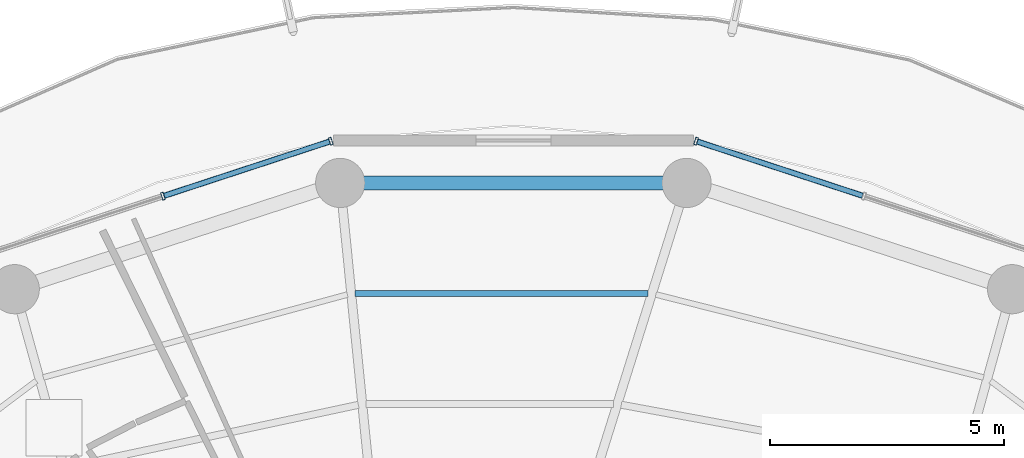
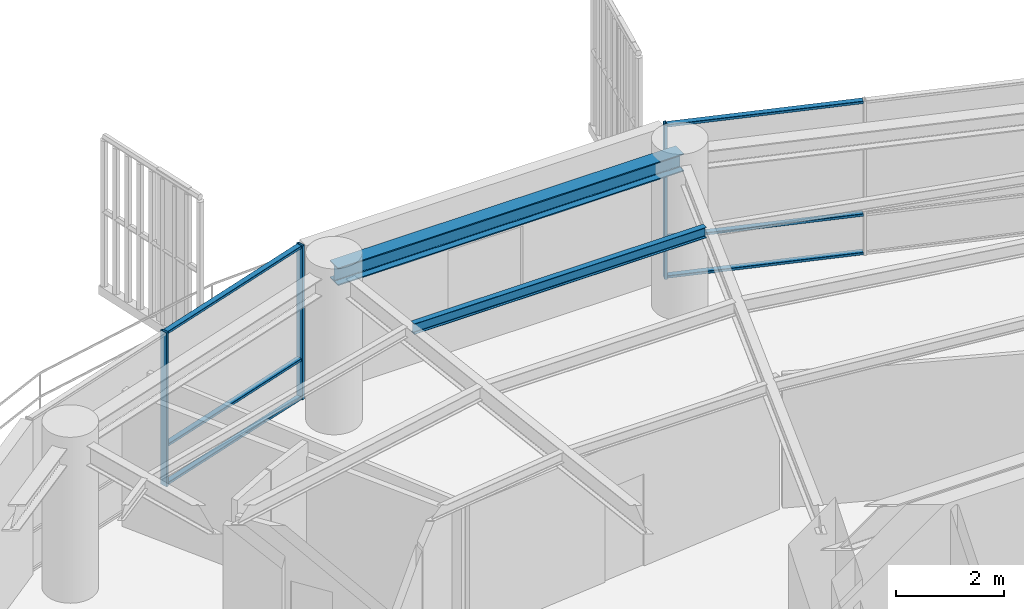
# One storey, part 20 of 31: 9 members, 2 beams, 2 elements without a shape of their own.
"""IFC4 building model written with IfcOpenShell, lengths in metres."""

from ifc_helpers import new_model, si_unit, direction, frame, origin, origin_2d, place, context, subcontext, project, spatial, hollow_rectangle, i_section, extrude, material, layer, layer_set, material_profile, profile_set, type_object, element, aggregate, save


model = new_model("IFC4")

# Units and contexts
model_context = context("Model", 3, precision=1e-05, world=origin(), true_north=direction((0.0, 1.0)))
body_context = subcontext(model_context, "Body", "Model", "MODEL_VIEW")
ifc_project = project(units=[si_unit("LENGTHUNIT", "METRE"), si_unit("AREAUNIT", "SQUARE_METRE"), si_unit("VOLUMEUNIT", "CUBIC_METRE"), si_unit("PLANEANGLEUNIT", "RADIAN"), si_unit("MASSUNIT", "GRAM", prefix="KILO")], contexts=[model_context])

# Site, building, storey
site_placement = place(None, origin())
site = spatial("IfcSite", under=ifc_project, at=site_placement, CompositionType="ELEMENT")
building_placement = place(site_placement, origin())
building = spatial("IfcBuilding", under=site, at=building_placement, Name="Kelanora Arch Commons", CompositionType="ELEMENT")
storey_placement = place(building_placement, frame((0.0, 0.0, 223.199951171875)))
storey = spatial("IfcBuildingStorey", under=building, at=storey_placement, Name="L57", CompositionType="ELEMENT", Elevation=223.199951171875)

# Beams
ifc_material_1 = material(Name="Steel S355", Category="steel")
ifc_material_profile_1 = material_profile(ifc_material_1, i_section(OverallWidth=0.1201171875, OverallDepth=0.239990234375, WebThickness=0.006103515625, FlangeThickness=0.009765625, FilletRadius=0.014892578125, at=origin_2d()), Name="IPE240")
ifc_profile_set_1 = profile_set([ifc_material_profile_1], Name="Steel S355")
beam_type_1 = type_object("IfcBeamType", Name="BM-JST-02", PredefinedType="JOIST", material=ifc_profile_set_1)
beam_1_placement = place(storey_placement, frame((76.87109375, 74.43212890625, 3.3701171875), z_axis=(-1.0, 0.0, 0.0), x_axis=(0.0, -1.0, 0.0)))
element("IfcBeam", 1, at=beam_1_placement, inside=storey, type_object=beam_type_1, Name="Secondary Chord Joist BJC-08 L57", PredefinedType="JOIST", context=body_context, shape_type="SweptSolid", body=[
    extrude(i_section(OverallWidth=0.1201171875, OverallDepth=0.239990234375, WebThickness=0.006103515625, FlangeThickness=0.009765625, FilletRadius=0.014892578125, at=origin_2d()), origin(), (0.0, 0.0, 1.0), 6.246337890625),
])
ifc_material_profile_2 = material_profile(ifc_material_1, i_section(OverallWidth=0.300048828125, OverallDepth=0.39990234375, WebThickness=0.013427734375, FlangeThickness=0.02392578125, FilletRadius=0.027099609375, at=origin_2d()), Name="HEB400")
ifc_profile_set_2 = profile_set([ifc_material_profile_2], Name="Steel S355")
beam_type_2 = type_object("IfcBeamType", Name="BM-SPN-Z4", PredefinedType="SPANDREL", material=ifc_profile_set_2)
beam_2_placement = place(storey_placement, frame((77.6953125, 76.7900390625, 3.2900390625), z_axis=(-1.0, 0.0, 0.0), x_axis=(0.0, -1.0, 0.0)))
element("IfcBeam", 2, at=beam_2_placement, inside=storey, type_object=beam_type_2, Name="Perimeter Spandrel Beam BS-08 L57", PredefinedType="SPANDREL", context=body_context, shape_type="SweptSolid", body=[
    extrude(i_section(OverallWidth=0.300048828125, OverallDepth=0.39990234375, WebThickness=0.013427734375, FlangeThickness=0.02392578125, FilletRadius=0.027099609375, at=origin_2d()), origin(), (0.0, 0.0, 1.0), 7.390625),
])

# Curtain wall, member
ifc_material_2 = material(Name="Terracotta ceramic-fritted low-E glass and aluminium", Category="masonry")
ifc_layer = layer(ifc_material_2, 0.175048828125)
ifc_layer_set = layer_set([ifc_layer], Name="Terracotta ceramic-fritted low-E glass and aluminium")
curtain_wall_type = type_object("IfcCurtainWallType", Name="CW-SYS-02", PredefinedType="NOTDEFINED", material=ifc_layer_set)
curtain_wall_1_placement = place(storey_placement, origin())
curtain_wall_1 = element("IfcCurtainWall", 3, at=curtain_wall_1_placement, inside=storey, type_object=curtain_wall_type, Name="Unitised Curtain Wall L57-B03", PredefinedType="NOTDEFINED")
ifc_material_3 = material(Name="Powder-coated aluminium terracotta", Category="masonry")
ifc_material_profile_3 = material_profile(ifc_material_3, hollow_rectangle(XDim=0.159912109375, YDim=0.06005859375, WallThickness=0.0048828125, InnerFilletRadius=0.0048828125, OuterFilletRadius=0.010009765625, at=origin_2d()), Name="CWM160x60")
ifc_profile_set_3 = profile_set([ifc_material_profile_3], Name="Powder-coated aluminium terracotta")
member_type_1 = type_object("IfcMemberType", Name="CWM-STD", PredefinedType="MULLION", material=ifc_profile_set_3)
member_1_placement = place(storey_placement, frame((77.897705078125, 77.68212890625, 0.0), z_axis=(0.0, 0.0, 1.0), x_axis=(-0.311582439059, -0.950219124029, 0.0)))
member_1 = element("IfcMember", 4, at=member_1_placement, type_object=member_type_1, Name="CW-02 mullion 3", PredefinedType="MULLION", context=body_context, shape_type="SweptSolid", body=[
    extrude(hollow_rectangle(XDim=0.159912109375, YDim=0.06005859375, WallThickness=0.0048828125, InnerFilletRadius=0.0048828125, OuterFilletRadius=0.010009765625, at=origin_2d()), origin(), (0.0, 0.0, 1.0), 3.47509765625),
])

# Curtain wall, members
curtain_wall_2_placement = place(storey_placement, origin())
curtain_wall_2 = element("IfcCurtainWall", 5, at=curtain_wall_2_placement, inside=storey, type_object=curtain_wall_type, Name="Unitised Curtain Wall L57-B05", PredefinedType="NOTDEFINED")
member_2_placement = place(storey_placement, frame((70.102294921875, 77.68212890625, 0.0), z_axis=(0.0, 0.0, 1.0), x_axis=(0.311582439059, -0.950219124029, 0.0)))
member_2 = element("IfcMember", 6, at=member_2_placement, type_object=member_type_1, Name="CW-02 mullion 1", PredefinedType="MULLION", context=body_context, shape_type="SweptSolid", body=[
    extrude(hollow_rectangle(XDim=0.159912109375, YDim=0.06005859375, WallThickness=0.0048828125, InnerFilletRadius=0.0048828125, OuterFilletRadius=0.010009765625, at=origin_2d()), origin(), (0.0, 0.0, 1.0), 3.47509765625),
])
member_3_placement = place(storey_placement, frame((66.5224609375, 76.50830078125, 0.0), z_axis=(0.0, 0.0, 1.0), x_axis=(0.311582439059, -0.950219124029, 0.0)))
member_3 = element("IfcMember", 7, at=member_3_placement, type_object=member_type_1, Name="CW-02 mullion 2", PredefinedType="MULLION", context=body_context, shape_type="SweptSolid", body=[
    extrude(hollow_rectangle(XDim=0.159912109375, YDim=0.06005859375, WallThickness=0.0048828125, InnerFilletRadius=0.0048828125, OuterFilletRadius=0.010009765625, at=origin_2d()), origin(), (0.0, 0.0, 1.0), 3.47509765625),
])

# Member
ifc_material_profile_4 = material_profile(ifc_material_3, hollow_rectangle(XDim=0.1201171875, YDim=0.06005859375, WallThickness=0.0048828125, InnerFilletRadius=0.0048828125, OuterFilletRadius=0.010009765625, at=origin_2d()), Name="CWT120x60")
ifc_profile_set_4 = profile_set([ifc_material_profile_4], Name="Powder-coated aluminium terracotta")
member_type_2 = type_object("IfcMemberType", Name="CWT-STD", PredefinedType="USERDEFINED", material=ifc_profile_set_4)
member_4_placement = place(storey_placement, frame((81.448974609375, 76.517578125, 0.030029296875), z_axis=(-0.950206527055, 0.311620852867, 0.0), x_axis=(-0.311620852867, -0.950206527055, 0.0)))
member_4 = element("IfcMember", 8, at=member_4_placement, type_object=member_type_2, Name="CW-02 transom 2.1", ObjectType="TRANSOM", PredefinedType="USERDEFINED", context=body_context, shape_type="SweptSolid", body=[
    extrude(hollow_rectangle(XDim=0.1201171875, YDim=0.06005859375, WallThickness=0.0048828125, InnerFilletRadius=0.0048828125, OuterFilletRadius=0.010009765625, at=origin_2d()), origin(), (0.0, 0.0, 1.0), 3.707275390625),
])

member_5_placement = place(storey_placement, frame((81.448974609375, 76.517578125, 0.900146484375), z_axis=(-0.950206527055, 0.311620852867, 0.0), x_axis=(-0.311620852867, -0.950206527055, 0.0)))
member_5 = element("IfcMember", 9, at=member_5_placement, type_object=member_type_2, Name="CW-02 transom 2.2", ObjectType="TRANSOM", PredefinedType="USERDEFINED", context=body_context, shape_type="SweptSolid", body=[
    extrude(hollow_rectangle(XDim=0.1201171875, YDim=0.06005859375, WallThickness=0.0048828125, InnerFilletRadius=0.0048828125, OuterFilletRadius=0.010009765625, at=origin_2d()), origin(), (0.0, 0.0, 1.0), 3.707275390625),
])

member_6_placement = place(storey_placement, frame((81.448974609375, 76.517578125, 3.445068359375), z_axis=(-0.950206527055, 0.311620852867, 0.0), x_axis=(-0.311620852867, -0.950206527055, 0.0)))
member_6 = element("IfcMember", 10, at=member_6_placement, type_object=member_type_2, Name="CW-02 transom 2.3", ObjectType="TRANSOM", PredefinedType="USERDEFINED", context=body_context, shape_type="SweptSolid", body=[
    extrude(hollow_rectangle(XDim=0.1201171875, YDim=0.06005859375, WallThickness=0.0048828125, InnerFilletRadius=0.0048828125, OuterFilletRadius=0.010009765625, at=origin_2d()), origin(), (0.0, 0.0, 1.0), 3.707275390625),
])

aggregate(curtain_wall_1, [member_1, member_4, member_5, member_6])

member_7_placement = place(storey_placement, frame((70.07373046875, 77.6728515625, 0.030029296875), z_axis=(-0.950206527055, -0.311620852867, 0.0), x_axis=(0.311620852867, -0.950206527055, 0.0)))
member_7 = element("IfcMember", 11, at=member_7_placement, type_object=member_type_2, Name="CW-02 transom 1.1", ObjectType="TRANSOM", PredefinedType="USERDEFINED", context=body_context, shape_type="SweptSolid", body=[
    extrude(hollow_rectangle(XDim=0.1201171875, YDim=0.06005859375, WallThickness=0.0048828125, InnerFilletRadius=0.0048828125, OuterFilletRadius=0.010009765625, at=origin_2d()), origin(), (0.0, 0.0, 1.0), 3.707275390625),
])

member_8_placement = place(storey_placement, frame((70.07373046875, 77.6728515625, 0.900146484375), z_axis=(-0.950206527055, -0.311620852867, 0.0), x_axis=(0.311620852867, -0.950206527055, 0.0)))
member_8 = element("IfcMember", 12, at=member_8_placement, type_object=member_type_2, Name="CW-02 transom 1.2", ObjectType="TRANSOM", PredefinedType="USERDEFINED", context=body_context, shape_type="SweptSolid", body=[
    extrude(hollow_rectangle(XDim=0.1201171875, YDim=0.06005859375, WallThickness=0.0048828125, InnerFilletRadius=0.0048828125, OuterFilletRadius=0.010009765625, at=origin_2d()), origin(), (0.0, 0.0, 1.0), 3.707275390625),
])

member_9_placement = place(storey_placement, frame((70.07373046875, 77.6728515625, 3.445068359375), z_axis=(-0.950206527055, -0.311620852867, 0.0), x_axis=(0.311620852867, -0.950206527055, 0.0)))
member_9 = element("IfcMember", 13, at=member_9_placement, type_object=member_type_2, Name="CW-02 transom 1.3", ObjectType="TRANSOM", PredefinedType="USERDEFINED", context=body_context, shape_type="SweptSolid", body=[
    extrude(hollow_rectangle(XDim=0.1201171875, YDim=0.06005859375, WallThickness=0.0048828125, InnerFilletRadius=0.0048828125, OuterFilletRadius=0.010009765625, at=origin_2d()), origin(), (0.0, 0.0, 1.0), 3.707275390625),
])

aggregate(curtain_wall_2, [member_2, member_3, member_7, member_8, member_9])

save(model, "model.ifc")
